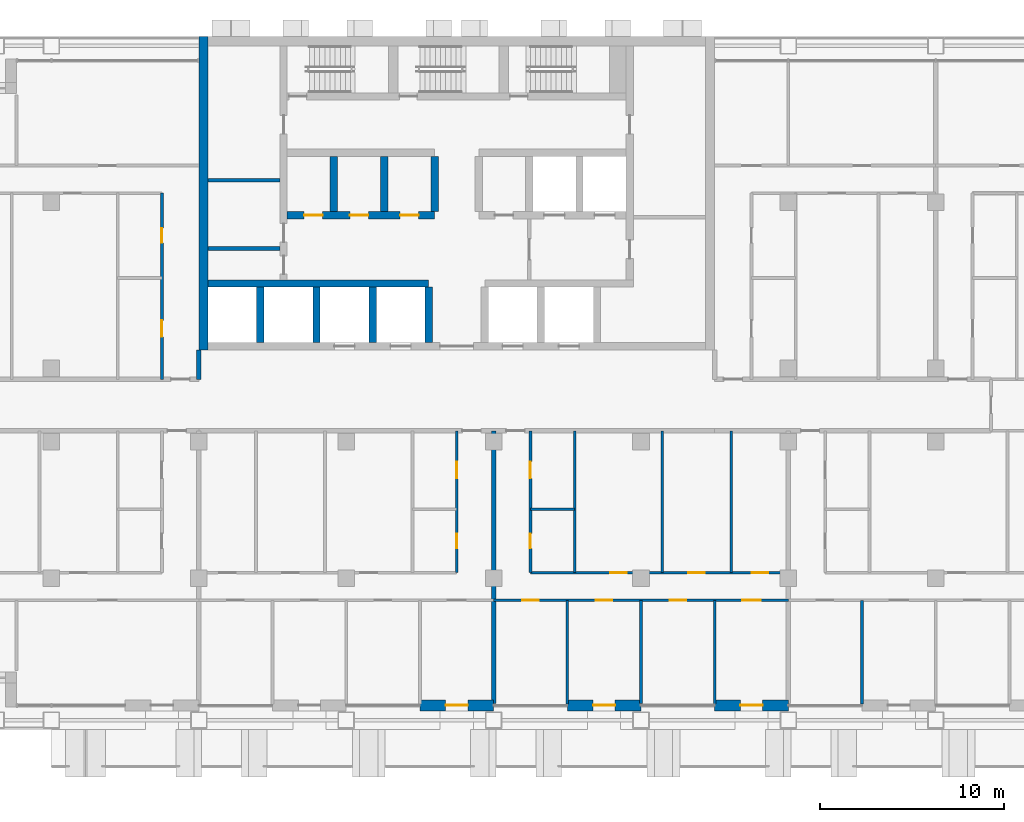
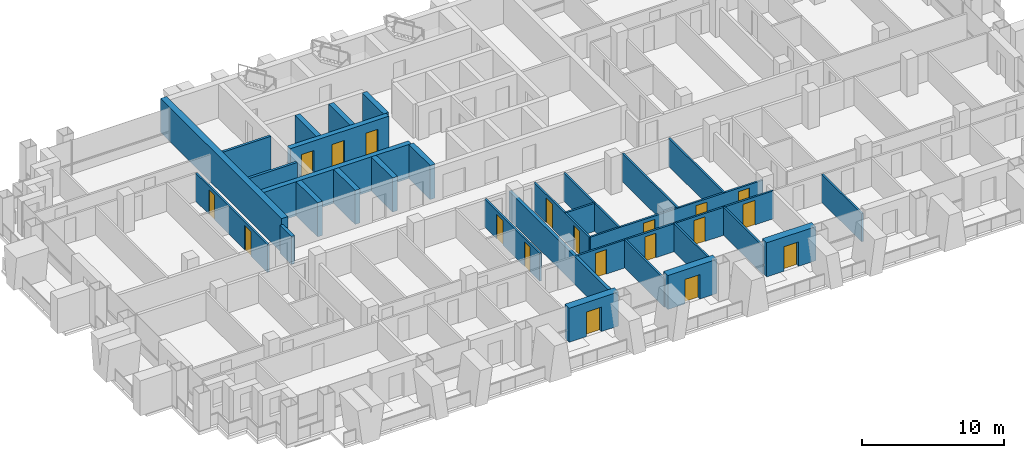
# One storey, part 10 of 18: 30 walls, 19 doors, 19 openings.
"""IFC4 building model written with IfcOpenShell, lengths in metres."""

from ifc_helpers import new_model, si_unit, direction, frame, frame_2d, origin, place, context, subcontext, project, spatial, rectangle, extrude, material, layer, layer_set, type_object, element, fill, save


model = new_model("IFC4")

# Units and contexts
model_context = context("Model", 3, precision=1e-05, world=origin(), true_north=direction((0.0, 1.0)))
body_context = subcontext(model_context, "Body", "Model", "MODEL_VIEW")
ifc_project = project(units=[si_unit("LENGTHUNIT", "METRE"), si_unit("AREAUNIT", "SQUARE_METRE"), si_unit("VOLUMEUNIT", "CUBIC_METRE"), si_unit("PLANEANGLEUNIT", "RADIAN"), si_unit("MASSUNIT", "GRAM", prefix="KILO")], contexts=[model_context])

# Site, building, storey
site_placement = place(None, origin())
site = spatial("IfcSite", under=ifc_project, at=site_placement, CompositionType="ELEMENT")
building_placement = place(site_placement, origin())
building = spatial("IfcBuilding", under=site, at=building_placement, Name="Vidyagriha Tower", CompositionType="ELEMENT")
storey_placement = place(building_placement, frame((0.0, 0.0, 90.300048828125)))
storey = spatial("IfcBuildingStorey", under=building, at=storey_placement, Name="L23", CompositionType="ELEMENT", Elevation=90.300048828125)

# Wall, opening, door
ifc_material_1 = material(Name="Precast concrete C40/50 with brick facing", Category="concrete")
ifc_layer_1 = layer(ifc_material_1, 0.60009765625)
ifc_layer_set_1 = layer_set([ifc_layer_1], Name="Precast concrete C40/50 with brick facing")
wall_type_1 = type_object("IfcWallType", Name="Brick-faced precast wall 600", PredefinedType="STANDARD", material=ifc_layer_set_1)
wall_1_placement = place(storey_placement, frame((-2.0, -16.300048828125, 0.0)))
wall_1 = element("IfcWall", 1, at=wall_1_placement, inside=storey, type_object=wall_type_1, Name="Brick door bay wall L23 R23.7", PredefinedType="STANDARD", context=body_context, shape_type="SweptSolid", body=[
    extrude(rectangle(XDim=4.0, YDim=0.60009765625, at=frame_2d((2.0, 0.0))), origin(), (0.0, 0.0, 1.0), 2.919921875),
])
opening_1_placement = place(wall_1_placement, frame((1.39990234375, 0.0, 0.0)))
opening_1 = element("IfcOpeningElement", 2, at=opening_1_placement, cuts=wall_1, Name="Opening D23-79", PredefinedType="OPENING", context=body_context, shape_type="SweptSolid", body=[
    extrude(rectangle(XDim=1.199951171875, YDim=2.10009765625, at=frame_2d((0.60009765625, 1.050048828125))), frame((0.0, 0.31005859375, 0.0), z_axis=(0.0, -1.0, 0.0), x_axis=(1.0, 0.0, 0.0)), (0.0, 0.0, 1.0), 0.6201171875),
])
ifc_material_2 = material(Name="Aluminium framed glazed sliding door", Category="aluminium")
door_type_1 = type_object("IfcDoorType", Name="Balcony sliding door 1200x2100", OperationType="NOTDEFINED", PredefinedType="DOOR", material=ifc_material_2)
door_1_placement = place(opening_1_placement, origin())
door_1 = element("IfcDoor", 3, at=door_1_placement, inside=storey, type_object=door_type_1, Name="Door D23-79", OperationType="SLIDING_TO_LEFT", OverallHeight=2.10009765625, OverallWidth=1.199951171875, PredefinedType="DOOR", context=body_context, shape_type="SweptSolid", body=[
    extrude(rectangle(XDim=1.199951171875, YDim=2.10009765625, at=frame_2d((0.60009765625, 1.050048828125))), frame((0.0, 0.02490234375, 0.0), z_axis=(0.0, -1.0, 0.0), x_axis=(1.0, 0.0, 0.0)), (0.0, 0.0, 1.0), 0.050048828125),
])
fill(opening_1, door_1)

wall_2_placement = place(storey_placement, frame((6.0, -16.300048828125, 0.0)))
wall_2 = element("IfcWall", 4, at=wall_2_placement, inside=storey, type_object=wall_type_1, Name="Brick door bay wall L23 R23.9", PredefinedType="STANDARD", context=body_context, shape_type="SweptSolid", body=[
    extrude(rectangle(XDim=4.0, YDim=0.60009765625, at=frame_2d((2.0, 0.0))), origin(), (0.0, 0.0, 1.0), 2.919921875),
])
opening_2_placement = place(wall_2_placement, frame((1.39990234375, 0.0, 0.0)))
opening_2 = element("IfcOpeningElement", 5, at=opening_2_placement, cuts=wall_2, Name="Opening D23-80", PredefinedType="OPENING", context=body_context, shape_type="SweptSolid", body=[
    extrude(rectangle(XDim=1.199951171875, YDim=2.10009765625, at=frame_2d((0.60009765625, 1.050048828125))), frame((0.0, 0.31005859375, 0.0), z_axis=(0.0, -1.0, 0.0), x_axis=(1.0, 0.0, 0.0)), (0.0, 0.0, 1.0), 0.6201171875),
])
door_2_placement = place(opening_2_placement, origin())
door_2 = element("IfcDoor", 6, at=door_2_placement, inside=storey, type_object=door_type_1, Name="Door D23-80", OperationType="SLIDING_TO_LEFT", OverallHeight=2.10009765625, OverallWidth=1.199951171875, PredefinedType="DOOR", context=body_context, shape_type="SweptSolid", body=[
    extrude(rectangle(XDim=1.199951171875, YDim=2.10009765625, at=frame_2d((0.60009765625, 1.050048828125))), frame((0.0, 0.02490234375, 0.0), z_axis=(0.0, -1.0, 0.0), x_axis=(1.0, 0.0, 0.0)), (0.0, 0.0, 1.0), 0.050048828125),
])
fill(opening_2, door_2)

wall_3_placement = place(storey_placement, frame((14.0, -16.300048828125, 0.0)))
wall_3 = element("IfcWall", 7, at=wall_3_placement, inside=storey, type_object=wall_type_1, Name="Brick door bay wall L23 R23.11", PredefinedType="STANDARD", context=body_context, shape_type="SweptSolid", body=[
    extrude(rectangle(XDim=4.0, YDim=0.60009765625, at=frame_2d((2.0, 0.0))), origin(), (0.0, 0.0, 1.0), 2.919921875),
])
opening_3_placement = place(wall_3_placement, frame((1.39990234375, 0.0, 0.0)))
opening_3 = element("IfcOpeningElement", 8, at=opening_3_placement, cuts=wall_3, Name="Opening D23-81", PredefinedType="OPENING", context=body_context, shape_type="SweptSolid", body=[
    extrude(rectangle(XDim=1.199951171875, YDim=2.10009765625, at=frame_2d((0.60009765625, 1.050048828125))), frame((0.0, 0.31005859375, 0.0), z_axis=(0.0, -1.0, 0.0), x_axis=(1.0, 0.0, 0.0)), (0.0, 0.0, 1.0), 0.6201171875),
])
door_3_placement = place(opening_3_placement, origin())
door_3 = element("IfcDoor", 9, at=door_3_placement, inside=storey, type_object=door_type_1, Name="Door D23-81", OperationType="SLIDING_TO_LEFT", OverallHeight=2.10009765625, OverallWidth=1.199951171875, PredefinedType="DOOR", context=body_context, shape_type="SweptSolid", body=[
    extrude(rectangle(XDim=1.199951171875, YDim=2.10009765625, at=frame_2d((0.60009765625, 1.050048828125))), frame((0.0, 0.02490234375, 0.0), z_axis=(0.0, -1.0, 0.0), x_axis=(1.0, 0.0, 0.0)), (0.0, 0.0, 1.0), 0.050048828125),
])
fill(opening_3, door_3)

# Walls
ifc_material_3 = material(Name="Concrete C60/75", Category="concrete")
ifc_layer_2 = layer(ifc_material_3, 0.39990234375)
ifc_layer_set_2 = layer_set([ifc_layer_2], Name="Concrete C60/75")
wall_type_2 = type_object("IfcWallType", Name="Core shear wall 400 mm", PredefinedType="SHEAR", material=ifc_layer_set_2)
wall_4_placement = place(storey_placement, frame((-13.5, 6.60009765625, 0.0)))
element("IfcWall", 10, at=wall_4_placement, inside=storey, type_object=wall_type_2, Name="Core lobby south wall west", PredefinedType="SHEAR", context=body_context, shape_type="SweptSolid", body=[
    extrude(rectangle(XDim=11.977783203125, YDim=0.39990234375, at=frame_2d((5.98876953125, 0.0))), origin(), (0.0, 0.0, 1.0), 2.919921875),
])
for number, where, z_axis, x_axis, name in (
    (11, (-10.655517578125, 3.39990234375, 0.0), (0.0, 0.0, 1.0), (0.0, 1.0, 0.0), "Core bay wall S1"),
    (12, (-7.611083984375, 3.39990234375, 0.0), (0.0, 0.0, 1.0), (0.0, 1.0, 0.0), "Core bay wall S2"),
    (13, (-4.566650390625, 3.39990234375, 0.0), (0.0, 0.0, 1.0), (0.0, 1.0, 0.0), "Core bay wall S3"),
    (14, (-1.522216796875, 3.39990234375, 0.0), (0.0, 0.0, 1.0), (0.0, 1.0, 0.0), "Core bay wall S4"),
):
    element("IfcWall", number, at=place(storey_placement, frame(where, z_axis=z_axis, x_axis=x_axis)), inside=storey, type_object=wall_type_2, Name=name, PredefinedType="SHEAR", context=body_context, shape_type="SweptSolid", body=[
        extrude(rectangle(XDim=3.0, YDim=0.39990234375, at=frame_2d((1.5, 0.0))), origin(), (0.0, 0.0, 1.0), 2.919921875),
    ])

# Wall, openings, doors
wall_5_placement = place(storey_placement, frame((-9.199951171875, 10.300048828125, 0.0)))
wall_5 = element("IfcWall", 15, at=wall_5_placement, inside=storey, type_object=wall_type_2, Name="Core row N front wall", PredefinedType="SHEAR", context=body_context, shape_type="SweptSolid", body=[
    extrude(rectangle(XDim=8.0, YDim=0.39990234375, at=frame_2d((4.0, 0.0))), origin(), (0.0, 0.0, 1.0), 2.919921875),
])
opening_4_placement = place(wall_5_placement, frame((0.916748046875, 0.0, 0.0)))
opening_4 = element("IfcOpeningElement", 16, at=opening_4_placement, cuts=wall_5, Name="Opening D23-02", PredefinedType="OPENING", context=body_context, shape_type="SweptSolid", body=[
    extrude(rectangle(XDim=1.0, YDim=2.10009765625, at=frame_2d((0.5, 1.050048828125))), frame((0.0, 0.2099609375, 0.0), z_axis=(0.0, -1.0, 0.0), x_axis=(1.0, 0.0, 0.0)), (0.0, 0.0, 1.0), 0.419921875),
])
opening_5_placement = place(wall_5_placement, frame((3.39990234375, 0.0, 0.0)))
opening_5 = element("IfcOpeningElement", 17, at=opening_5_placement, cuts=wall_5, Name="Opening D23-03", PredefinedType="OPENING", context=body_context, shape_type="SweptSolid", body=[
    extrude(rectangle(XDim=1.0, YDim=2.10009765625, at=frame_2d((0.5, 1.050048828125))), frame((0.0, 0.2099609375, 0.0), z_axis=(0.0, -1.0, 0.0), x_axis=(1.0, 0.0, 0.0)), (0.0, 0.0, 1.0), 0.419921875),
])
opening_6_placement = place(wall_5_placement, frame((6.13330078125, 0.0, 0.0)))
opening_6 = element("IfcOpeningElement", 18, at=opening_6_placement, cuts=wall_5, Name="Opening D23-04", PredefinedType="OPENING", context=body_context, shape_type="SweptSolid", body=[
    extrude(rectangle(XDim=1.0, YDim=2.10009765625, at=frame_2d((0.5, 1.050048828125))), frame((0.0, 0.2099609375, 0.0), z_axis=(0.0, -1.0, 0.0), x_axis=(1.0, 0.0, 0.0)), (0.0, 0.0, 1.0), 0.419921875),
])
ifc_material_4 = material(Name="Hollow metal door leaf")
door_type_2 = type_object("IfcDoorType", Name="Core room door 1000 x 2100 mm EI 60", OperationType="NOTDEFINED", PredefinedType="DOOR", material=ifc_material_4)
door_4_placement = place(opening_4_placement, frame((1.0, 0.0, 0.0), z_axis=(0.0, 0.0, 1.0), x_axis=(-1.0, 0.0, 0.0)))
door_4 = element("IfcDoor", 19, at=door_4_placement, inside=storey, type_object=door_type_2, Name="Door Pressurisation Plant Room 23.14", OperationType="SINGLE_SWING_RIGHT", OverallHeight=2.10009765625, OverallWidth=1.0, PredefinedType="DOOR", context=body_context, shape_type="SweptSolid", body=[
    extrude(rectangle(XDim=1.0, YDim=2.10009765625, at=frame_2d((0.5, 1.050048828125))), frame((0.0, 0.02490234375, 0.0), z_axis=(0.0, -1.0, 0.0), x_axis=(1.0, 0.0, 0.0)), (0.0, 0.0, 1.0), 0.050048828125),
])
fill(opening_4, door_4)
door_5_placement = place(opening_5_placement, frame((1.0, 0.0, 0.0), z_axis=(0.0, 0.0, 1.0), x_axis=(-1.0, 0.0, 0.0)))
door_5 = element("IfcDoor", 20, at=door_5_placement, inside=storey, type_object=door_type_2, Name="Door Switchgear Room 23.15", OperationType="SINGLE_SWING_RIGHT", OverallHeight=2.10009765625, OverallWidth=1.0, PredefinedType="DOOR", context=body_context, shape_type="SweptSolid", body=[
    extrude(rectangle(XDim=1.0, YDim=2.10009765625, at=frame_2d((0.5, 1.050048828125))), frame((0.0, 0.02490234375, 0.0), z_axis=(0.0, -1.0, 0.0), x_axis=(1.0, 0.0, 0.0)), (0.0, 0.0, 1.0), 0.050048828125),
])
fill(opening_5, door_5)
door_6_placement = place(opening_6_placement, frame((1.0, 0.0, 0.0), z_axis=(0.0, 0.0, 1.0), x_axis=(-1.0, 0.0, 0.0)))
door_6 = element("IfcDoor", 21, at=door_6_placement, inside=storey, type_object=door_type_2, Name="Door Storage Room 23.16", OperationType="SINGLE_SWING_LEFT", OverallHeight=2.10009765625, OverallWidth=1.0, PredefinedType="DOOR", context=body_context, shape_type="SweptSolid", body=[
    extrude(rectangle(XDim=1.0, YDim=2.10009765625, at=frame_2d((0.5, 1.050048828125))), frame((0.0, 0.02490234375, 0.0), z_axis=(0.0, -1.0, 0.0), x_axis=(1.0, 0.0, 0.0)), (0.0, 0.0, 1.0), 0.050048828125),
])
fill(opening_6, door_6)

# Walls
for number, where, z_axis, x_axis, name in (
    (22, (-6.666748046875, 10.5, 0.0), (0.0, 0.0, 1.0), (0.0, 1.0, 0.0), "Core bay wall N1"),
    (23, (-3.933349609375, 10.5, 0.0), (0.0, 0.0, 1.0), (0.0, 1.0, 0.0), "Core bay wall N2"),
    (24, (-1.199951171875, 10.5, 0.0), (0.0, 0.0, 1.0), (0.0, 1.0, 0.0), "Core bay wall N3"),
):
    element("IfcWall", number, at=place(storey_placement, frame(where, z_axis=z_axis, x_axis=x_axis)), inside=storey, type_object=wall_type_2, Name=name, PredefinedType="SHEAR", context=body_context, shape_type="SweptSolid", body=[
        extrude(rectangle(XDim=3.0, YDim=0.39990234375, at=frame_2d((1.5, 0.0))), origin(), (0.0, 0.0, 1.0), 2.919921875),
    ])
ifc_material_5 = material(Name="Concrete C60/75", Category="concrete")
ifc_layer_3 = layer(ifc_material_5, 0.5)
ifc_layer_set_3 = layer_set([ifc_layer_3], Name="Concrete C60/75")
wall_type_3 = type_object("IfcWallType", Name="Core shear wall 500 mm", PredefinedType="SHEAR", material=ifc_layer_set_3)
wall_6_placement = place(storey_placement, frame((-13.75, 3.0, 0.0), z_axis=(0.0, 0.0, 1.0), x_axis=(0.0, 1.0, 0.0)))
element("IfcWall", 25, at=wall_6_placement, inside=storey, type_object=wall_type_3, Name="Core west wall", PredefinedType="SHEAR", context=body_context, shape_type="SweptSolid", body=[
    extrude(rectangle(XDim=17.0, YDim=0.5, at=frame_2d((8.5, 0.0))), origin(), (0.0, 0.0, 1.0), 2.919921875),
])
ifc_material_6 = material(Name="Fired clay brick masonry", Category="masonry")
ifc_layer_4 = layer(ifc_material_6, 0.25)
ifc_layer_set_4 = layer_set([ifc_layer_4], Name="Fired clay brick masonry")
wall_type_4 = type_object("IfcWallType", Name="Fired clay brick corridor wall 250", PredefinedType="PARTITIONING", material=ifc_layer_set_4)
wall_7_placement = place(storey_placement, frame((-14.0, 3.0, 0.0), z_axis=(0.0, 0.0, 1.0), x_axis=(0.0, -1.0, 0.0)))
element("IfcWall", 26, at=wall_7_placement, inside=storey, type_object=wall_type_4, Name="Wall all-L23-w132", PredefinedType="PARTITIONING", context=body_context, shape_type="SweptSolid", body=[
    extrude(rectangle(XDim=1.60009765625, YDim=0.25, at=frame_2d((0.800048828125, 0.0))), origin(), (0.0, 0.0, 1.0), 2.39990234375),
])
ifc_material_7 = material(Name="Fired clay brick masonry", Category="masonry")
ifc_layer_5 = layer(ifc_material_7, 0.25)
ifc_layer_set_5 = layer_set([ifc_layer_5], Name="Fired clay brick masonry")
wall_type_5 = type_object("IfcWallType", Name="Fired clay brick demising wall 250", PredefinedType="PARTITIONING", material=ifc_layer_set_5)
wall_8_placement = place(storey_placement, frame((2.0, -1.39990234375, 0.0), z_axis=(0.0, 0.0, 1.0), x_axis=(0.0, -1.0, 0.0)))
element("IfcWall", 27, at=wall_8_placement, inside=storey, type_object=wall_type_5, Name="Wall all-L23-w056", PredefinedType="PARTITIONING", context=body_context, shape_type="SweptSolid", body=[
    extrude(rectangle(XDim=14.81005859375, YDim=0.25, at=frame_2d((7.405029296875, 0.0))), origin(), (0.0, 0.0, 1.0), 2.39990234375),
])
ifc_material_8 = material(Name="Gypsum board partition")
ifc_layer_6 = layer(ifc_material_8, 0.14990234375)
ifc_layer_set_6 = layer_set([ifc_layer_6], Name="Gypsum board partition")
wall_type_6 = type_object("IfcWallType", Name="Gypsum board partition 150", PredefinedType="PARTITIONING", material=ifc_layer_set_6)
wall_9_placement = place(storey_placement, frame((6.39990234375, -5.64990234375, 0.0), z_axis=(0.0, 0.0, 1.0), x_axis=(-1.0, 0.0, 0.0)))
element("IfcWall", 28, at=wall_9_placement, inside=storey, type_object=wall_type_6, Name="Wall all-L23-w039", PredefinedType="PARTITIONING", context=body_context, shape_type="SweptSolid", body=[
    extrude(rectangle(XDim=2.39990234375, YDim=0.14990234375, at=frame_2d((1.199951171875, 0.0))), origin(), (0.0, 0.0, 1.0), 2.39990234375),
])
for number, where, z_axis, x_axis, name in (
    (29, (6.39990234375, -1.39990234375, 0.0), (0.0, 0.0, 1.0), (0.0, -1.0, 0.0), "Wall all-L23-w040"),
    (30, (11.14990234375, -1.39990234375, 0.0), (0.0, 0.0, 1.0), (0.0, -1.0, 0.0), "Wall all-L23-w041"),
    (31, (14.89990234375, -1.39990234375, 0.0), (0.0, 0.0, 1.0), (0.0, -1.0, 0.0), "Wall all-L23-w042"),
):
    element("IfcWall", number, at=place(storey_placement, frame(where, z_axis=z_axis, x_axis=x_axis)), inside=storey, type_object=wall_type_6, Name=name, PredefinedType="PARTITIONING", context=body_context, shape_type="SweptSolid", body=[
        extrude(rectangle(XDim=7.7001953125, YDim=0.14990234375, at=frame_2d((3.85009765625, 0.0))), origin(), (0.0, 0.0, 1.0), 2.39990234375),
    ])

# Wall, openings, doors
wall_10_placement = place(storey_placement, frame((4.0, -9.10009765625, 0.0)))
wall_10 = element("IfcWall", 32, at=wall_10_placement, inside=storey, type_object=wall_type_6, Name="Wall all-L23-w043", PredefinedType="PARTITIONING", context=body_context, shape_type="SweptSolid", body=[
    extrude(rectangle(XDim=14.0, YDim=0.14990234375, at=frame_2d((7.0, 0.0))), origin(), (0.0, 0.0, 1.0), 2.39990234375),
])
opening_7_placement = place(wall_10_placement, frame((4.324951171875, 0.0, 0.0)))
opening_7 = element("IfcOpeningElement", 33, at=opening_7_placement, cuts=wall_10, Name="Opening D23-34", PredefinedType="OPENING", context=body_context, shape_type="SweptSolid", body=[
    extrude(rectangle(XDim=0.89990234375, YDim=2.10009765625, at=frame_2d((0.449951171875, 1.050048828125))), frame((0.0, 0.0849609375, 0.0), z_axis=(0.0, -1.0, 0.0), x_axis=(1.0, 0.0, 0.0)), (0.0, 0.0, 1.0), 0.169921875),
])
opening_8_placement = place(wall_10_placement, frame((8.574951171875, 0.0, 0.0)))
opening_8 = element("IfcOpeningElement", 34, at=opening_8_placement, cuts=wall_10, Name="Opening D23-35", PredefinedType="OPENING", context=body_context, shape_type="SweptSolid", body=[
    extrude(rectangle(XDim=0.89990234375, YDim=2.10009765625, at=frame_2d((0.449951171875, 1.050048828125))), frame((0.0, 0.0849609375, 0.0), z_axis=(0.0, -1.0, 0.0), x_axis=(1.0, 0.0, 0.0)), (0.0, 0.0, 1.0), 0.169921875),
])
opening_9_placement = place(wall_10_placement, frame((12.0, 0.0, 0.0)))
opening_9 = element("IfcOpeningElement", 35, at=opening_9_placement, cuts=wall_10, Name="Opening D23-36", PredefinedType="OPENING", context=body_context, shape_type="SweptSolid", body=[
    extrude(rectangle(XDim=0.89990234375, YDim=2.10009765625, at=frame_2d((0.449951171875, 1.050048828125))), frame((0.0, 0.0849609375, 0.0), z_axis=(0.0, -1.0, 0.0), x_axis=(1.0, 0.0, 0.0)), (0.0, 0.0, 1.0), 0.169921875),
])
ifc_material_9 = material(Name="Timber door leaf", Category="wood")
door_type_3 = type_object("IfcDoorType", Name="Room door 900x2100", OperationType="NOTDEFINED", PredefinedType="DOOR", material=ifc_material_9)
door_7_placement = place(opening_7_placement, origin())
door_7 = element("IfcDoor", 36, at=door_7_placement, inside=storey, type_object=door_type_3, Name="Door D23-34", OperationType="SINGLE_SWING_RIGHT", OverallHeight=2.10009765625, OverallWidth=0.89990234375, PredefinedType="DOOR", context=body_context, shape_type="SweptSolid", body=[
    extrude(rectangle(XDim=0.89990234375, YDim=2.10009765625, at=frame_2d((0.449951171875, 1.050048828125))), frame((0.0, 0.02490234375, 0.0), z_axis=(0.0, -1.0, 0.0), x_axis=(1.0, 0.0, 0.0)), (0.0, 0.0, 1.0), 0.050048828125),
])
fill(opening_7, door_7)
door_8_placement = place(opening_8_placement, origin())
door_8 = element("IfcDoor", 37, at=door_8_placement, inside=storey, type_object=door_type_3, Name="Door D23-35", OperationType="SINGLE_SWING_RIGHT", OverallHeight=2.10009765625, OverallWidth=0.89990234375, PredefinedType="DOOR", context=body_context, shape_type="SweptSolid", body=[
    extrude(rectangle(XDim=0.89990234375, YDim=2.10009765625, at=frame_2d((0.449951171875, 1.050048828125))), frame((0.0, 0.02490234375, 0.0), z_axis=(0.0, -1.0, 0.0), x_axis=(1.0, 0.0, 0.0)), (0.0, 0.0, 1.0), 0.050048828125),
])
fill(opening_8, door_8)
door_9_placement = place(opening_9_placement, origin())
door_9 = element("IfcDoor", 38, at=door_9_placement, inside=storey, type_object=door_type_3, Name="Door D23-36", OperationType="SINGLE_SWING_LEFT", OverallHeight=2.10009765625, OverallWidth=0.89990234375, PredefinedType="DOOR", context=body_context, shape_type="SweptSolid", body=[
    extrude(rectangle(XDim=0.89990234375, YDim=2.10009765625, at=frame_2d((0.449951171875, 1.050048828125))), frame((0.0, 0.02490234375, 0.0), z_axis=(0.0, -1.0, 0.0), x_axis=(1.0, 0.0, 0.0)), (0.0, 0.0, 1.0), 0.050048828125),
])
fill(opening_9, door_9)

wall_11_placement = place(storey_placement, frame((18.0, -10.60009765625, 0.0), z_axis=(0.0, 0.0, 1.0), x_axis=(-1.0, 0.0, 0.0)))
wall_11 = element("IfcWall", 39, at=wall_11_placement, inside=storey, type_object=wall_type_6, Name="Wall all-L23-w047", PredefinedType="PARTITIONING", context=body_context, shape_type="SweptSolid", body=[
    extrude(rectangle(XDim=16.0, YDim=0.14990234375, at=frame_2d((8.0, 0.0))), origin(), (0.0, 0.0, 1.0), 2.39990234375),
])
opening_10_placement = place(wall_11_placement, frame((13.550048828125, 0.0, 0.0)))
opening_10 = element("IfcOpeningElement", 40, at=opening_10_placement, cuts=wall_11, Name="Opening D23-37", PredefinedType="OPENING", context=body_context, shape_type="SweptSolid", body=[
    extrude(rectangle(XDim=0.89990234375, YDim=2.10009765625, at=frame_2d((0.449951171875, 1.050048828125))), frame((0.0, 0.0849609375, 0.0), z_axis=(0.0, -1.0, 0.0), x_axis=(1.0, 0.0, 0.0)), (0.0, 0.0, 1.0), 0.169921875),
])
opening_11_placement = place(wall_11_placement, frame((9.550048828125, 0.0, 0.0)))
opening_11 = element("IfcOpeningElement", 41, at=opening_11_placement, cuts=wall_11, Name="Opening D23-38", PredefinedType="OPENING", context=body_context, shape_type="SweptSolid", body=[
    extrude(rectangle(XDim=0.89990234375, YDim=2.10009765625, at=frame_2d((0.449951171875, 1.050048828125))), frame((0.0, 0.0849609375, 0.0), z_axis=(0.0, -1.0, 0.0), x_axis=(1.0, 0.0, 0.0)), (0.0, 0.0, 1.0), 0.169921875),
])
opening_12_placement = place(wall_11_placement, frame((5.550048828125, 0.0, 0.0)))
opening_12 = element("IfcOpeningElement", 42, at=opening_12_placement, cuts=wall_11, Name="Opening D23-39", PredefinedType="OPENING", context=body_context, shape_type="SweptSolid", body=[
    extrude(rectangle(XDim=0.89990234375, YDim=2.10009765625, at=frame_2d((0.449951171875, 1.050048828125))), frame((0.0, 0.0849609375, 0.0), z_axis=(0.0, -1.0, 0.0), x_axis=(1.0, 0.0, 0.0)), (0.0, 0.0, 1.0), 0.169921875),
])
opening_13_placement = place(wall_11_placement, frame((1.5, 0.0, 0.0)))
opening_13 = element("IfcOpeningElement", 43, at=opening_13_placement, cuts=wall_11, Name="Opening D23-40", PredefinedType="OPENING", context=body_context, shape_type="SweptSolid", body=[
    extrude(rectangle(XDim=1.0, YDim=2.10009765625, at=frame_2d((0.5, 1.050048828125))), frame((0.0, 0.0849609375, 0.0), z_axis=(0.0, -1.0, 0.0), x_axis=(1.0, 0.0, 0.0)), (0.0, 0.0, 1.0), 0.169921875),
])
ifc_material_10 = material(Name="Timber door leaf", Category="wood")
door_type_4 = type_object("IfcDoorType", Name="Room door 1000x2100", OperationType="NOTDEFINED", PredefinedType="DOOR", material=ifc_material_10)
door_10_placement = place(opening_13_placement, origin())
door_10 = element("IfcDoor", 44, at=door_10_placement, inside=storey, type_object=door_type_4, Name="Door D23-40", OperationType="SINGLE_SWING_RIGHT", OverallHeight=2.10009765625, OverallWidth=1.0, PredefinedType="DOOR", context=body_context, shape_type="SweptSolid", body=[
    extrude(rectangle(XDim=1.0, YDim=2.10009765625, at=frame_2d((0.5, 1.050048828125))), frame((0.0, 0.02490234375, 0.0), z_axis=(0.0, -1.0, 0.0), x_axis=(1.0, 0.0, 0.0)), (0.0, 0.0, 1.0), 0.050048828125),
])
fill(opening_13, door_10)
door_11_placement = place(opening_10_placement, origin())
door_11 = element("IfcDoor", 45, at=door_11_placement, inside=storey, type_object=door_type_3, Name="Door D23-37", OperationType="SINGLE_SWING_RIGHT", OverallHeight=2.10009765625, OverallWidth=0.89990234375, PredefinedType="DOOR", context=body_context, shape_type="SweptSolid", body=[
    extrude(rectangle(XDim=0.89990234375, YDim=2.10009765625, at=frame_2d((0.449951171875, 1.050048828125))), frame((0.0, 0.02490234375, 0.0), z_axis=(0.0, -1.0, 0.0), x_axis=(1.0, 0.0, 0.0)), (0.0, 0.0, 1.0), 0.050048828125),
])
fill(opening_10, door_11)
door_12_placement = place(opening_11_placement, origin())
door_12 = element("IfcDoor", 46, at=door_12_placement, inside=storey, type_object=door_type_3, Name="Door D23-38", OperationType="SINGLE_SWING_RIGHT", OverallHeight=2.10009765625, OverallWidth=0.89990234375, PredefinedType="DOOR", context=body_context, shape_type="SweptSolid", body=[
    extrude(rectangle(XDim=0.89990234375, YDim=2.10009765625, at=frame_2d((0.449951171875, 1.050048828125))), frame((0.0, 0.02490234375, 0.0), z_axis=(0.0, -1.0, 0.0), x_axis=(1.0, 0.0, 0.0)), (0.0, 0.0, 1.0), 0.050048828125),
])
fill(opening_11, door_12)
door_13_placement = place(opening_12_placement, origin())
door_13 = element("IfcDoor", 47, at=door_13_placement, inside=storey, type_object=door_type_3, Name="Door D23-39", OperationType="SINGLE_SWING_RIGHT", OverallHeight=2.10009765625, OverallWidth=0.89990234375, PredefinedType="DOOR", context=body_context, shape_type="SweptSolid", body=[
    extrude(rectangle(XDim=0.89990234375, YDim=2.10009765625, at=frame_2d((0.449951171875, 1.050048828125))), frame((0.0, 0.02490234375, 0.0), z_axis=(0.0, -1.0, 0.0), x_axis=(1.0, 0.0, 0.0)), (0.0, 0.0, 1.0), 0.050048828125),
])
fill(opening_12, door_13)

# Walls
wall_12_placement = place(storey_placement, frame((6.0, -10.60009765625, 0.0), z_axis=(0.0, 0.0, 1.0), x_axis=(0.0, -1.0, 0.0)))
element("IfcWall", 48, at=wall_12_placement, inside=storey, type_object=wall_type_6, Name="Wall all-L23-w052", PredefinedType="PARTITIONING", context=body_context, shape_type="SweptSolid", body=[
    extrude(rectangle(XDim=5.620849609375, YDim=0.14990234375, at=frame_2d((2.810546875, 0.0))), origin(), (0.0, 0.0, 1.0), 2.39990234375),
])
wall_13_placement = place(storey_placement, frame((10.0, -10.60009765625, 0.0), z_axis=(0.0, 0.0, 1.0), x_axis=(0.0, -1.0, 0.0)))
element("IfcWall", 49, at=wall_13_placement, inside=storey, type_object=wall_type_6, Name="Wall all-L23-w053", PredefinedType="PARTITIONING", context=body_context, shape_type="SweptSolid", body=[
    extrude(rectangle(XDim=5.60986328125, YDim=0.14990234375, at=frame_2d((2.804931640625, 0.0))), origin(), (0.0, 0.0, 1.0), 2.39990234375),
])
for number, where, z_axis, x_axis, name in (
    (50, (14.0, -10.60009765625, 0.0), (0.0, 0.0, 1.0), (0.0, -1.0, 0.0), "Wall all-L23-w054"),
    (51, (22.0, -10.60009765625, 0.0), (0.0, 0.0, 1.0), (0.0, -1.0, 0.0), "Wall all-L23-w074"),
):
    element("IfcWall", number, at=place(storey_placement, frame(where, z_axis=z_axis, x_axis=x_axis)), inside=storey, type_object=wall_type_6, Name=name, PredefinedType="PARTITIONING", context=body_context, shape_type="SweptSolid", body=[
        extrude(rectangle(XDim=5.620849609375, YDim=0.14990234375, at=frame_2d((2.810546875, 0.0))), origin(), (0.0, 0.0, 1.0), 2.39990234375),
    ])

# Wall, openings, doors
ifc_material_11 = material(Name="Moisture resistant gypsum board partition")
ifc_layer_7 = layer(ifc_material_11, 0.14990234375)
ifc_layer_set_7 = layer_set([ifc_layer_7], Name="Moisture resistant gypsum board partition")
wall_type_7 = type_object("IfcWallType", Name="Gypsum board wet-area partition 150", PredefinedType="PARTITIONING", material=ifc_layer_set_7)
wall_14_placement = place(storey_placement, frame((0.0, -9.10009765625, 0.0), z_axis=(0.0, 0.0, 1.0), x_axis=(0.0, 1.0, 0.0)))
wall_14 = element("IfcWall", 52, at=wall_14_placement, inside=storey, type_object=wall_type_7, Name="Wall all-L23-w015", PredefinedType="PARTITIONING", context=body_context, shape_type="SweptSolid", body=[
    extrude(rectangle(XDim=7.7001953125, YDim=0.14990234375, at=frame_2d((3.85009765625, 0.0))), origin(), (0.0, 0.0, 1.0), 2.39990234375),
])
opening_14_placement = place(wall_14_placement, frame((5.125, 0.0, 0.0)))
opening_14 = element("IfcOpeningElement", 53, at=opening_14_placement, cuts=wall_14, Name="Opening D23-22", PredefinedType="OPENING", context=body_context, shape_type="SweptSolid", body=[
    extrude(rectangle(XDim=0.89990234375, YDim=2.10009765625, at=frame_2d((0.449951171875, 1.050048828125))), frame((0.0, 0.0849609375, 0.0), z_axis=(0.0, -1.0, 0.0), x_axis=(1.0, 0.0, 0.0)), (0.0, 0.0, 1.0), 0.169921875),
])
opening_15_placement = place(wall_14_placement, frame((1.324951171875, 0.0, 0.0)))
opening_15 = element("IfcOpeningElement", 54, at=opening_15_placement, cuts=wall_14, Name="Opening D23-23", PredefinedType="OPENING", context=body_context, shape_type="SweptSolid", body=[
    extrude(rectangle(XDim=0.800048828125, YDim=2.10009765625, at=frame_2d((0.39990234375, 1.050048828125))), frame((0.0, 0.0849609375, 0.0), z_axis=(0.0, -1.0, 0.0), x_axis=(1.0, 0.0, 0.0)), (0.0, 0.0, 1.0), 0.169921875),
])
ifc_material_12 = material(Name="Timber door leaf", Category="wood")
door_type_5 = type_object("IfcDoorType", Name="Bathroom door 800x2100", OperationType="NOTDEFINED", PredefinedType="DOOR", material=ifc_material_12)
door_14_placement = place(opening_15_placement, origin())
door_14 = element("IfcDoor", 55, at=door_14_placement, inside=storey, type_object=door_type_5, Name="Door D23-23", OperationType="SINGLE_SWING_RIGHT", OverallHeight=2.10009765625, OverallWidth=0.800048828125, PredefinedType="DOOR", context=body_context, shape_type="SweptSolid", body=[
    extrude(rectangle(XDim=0.800048828125, YDim=2.10009765625, at=frame_2d((0.39990234375, 1.050048828125))), frame((0.0, 0.02490234375, 0.0), z_axis=(0.0, -1.0, 0.0), x_axis=(1.0, 0.0, 0.0)), (0.0, 0.0, 1.0), 0.050048828125),
])
fill(opening_15, door_14)
ifc_material_13 = material(Name="Timber door leaf", Category="wood")
door_type_6 = type_object("IfcDoorType", Name="Kitchen door 900x2100", OperationType="NOTDEFINED", PredefinedType="DOOR", material=ifc_material_13)
door_15_placement = place(opening_14_placement, origin())
door_15 = element("IfcDoor", 56, at=door_15_placement, inside=storey, type_object=door_type_6, Name="Door D23-22", OperationType="SINGLE_SWING_LEFT", OverallHeight=2.10009765625, OverallWidth=0.89990234375, PredefinedType="DOOR", context=body_context, shape_type="SweptSolid", body=[
    extrude(rectangle(XDim=0.89990234375, YDim=2.10009765625, at=frame_2d((0.449951171875, 1.050048828125))), frame((0.0, 0.02490234375, 0.0), z_axis=(0.0, -1.0, 0.0), x_axis=(1.0, 0.0, 0.0)), (0.0, 0.0, 1.0), 0.050048828125),
])
fill(opening_14, door_15)

wall_15_placement = place(storey_placement, frame((4.0, -1.39990234375, 0.0), z_axis=(0.0, 0.0, 1.0), x_axis=(0.0, -1.0, 0.0)))
wall_15 = element("IfcWall", 57, at=wall_15_placement, inside=storey, type_object=wall_type_7, Name="Wall all-L23-w036", PredefinedType="PARTITIONING", context=body_context, shape_type="SweptSolid", body=[
    extrude(rectangle(XDim=7.7001953125, YDim=0.14990234375, at=frame_2d((3.85009765625, 0.0))), origin(), (0.0, 0.0, 1.0), 2.39990234375),
])
opening_16_placement = place(wall_15_placement, frame((1.675048828125, 0.0, 0.0)))
opening_16 = element("IfcOpeningElement", 58, at=opening_16_placement, cuts=wall_15, Name="Opening D23-32", PredefinedType="OPENING", context=body_context, shape_type="SweptSolid", body=[
    extrude(rectangle(XDim=0.89990234375, YDim=2.10009765625, at=frame_2d((0.449951171875, 1.050048828125))), frame((0.0, 0.0849609375, 0.0), z_axis=(0.0, -1.0, 0.0), x_axis=(1.0, 0.0, 0.0)), (0.0, 0.0, 1.0), 0.169921875),
])
opening_17_placement = place(wall_15_placement, frame((5.574951171875, 0.0, 0.0)))
opening_17 = element("IfcOpeningElement", 59, at=opening_17_placement, cuts=wall_15, Name="Opening D23-33", PredefinedType="OPENING", context=body_context, shape_type="SweptSolid", body=[
    extrude(rectangle(XDim=0.800048828125, YDim=2.10009765625, at=frame_2d((0.39990234375, 1.050048828125))), frame((0.0, 0.0849609375, 0.0), z_axis=(0.0, -1.0, 0.0), x_axis=(1.0, 0.0, 0.0)), (0.0, 0.0, 1.0), 0.169921875),
])
door_16_placement = place(opening_17_placement, origin())
door_16 = element("IfcDoor", 60, at=door_16_placement, inside=storey, type_object=door_type_5, Name="Door D23-33", OperationType="SINGLE_SWING_RIGHT", OverallHeight=2.10009765625, OverallWidth=0.800048828125, PredefinedType="DOOR", context=body_context, shape_type="SweptSolid", body=[
    extrude(rectangle(XDim=0.800048828125, YDim=2.10009765625, at=frame_2d((0.39990234375, 1.050048828125))), frame((0.0, 0.02490234375, 0.0), z_axis=(0.0, -1.0, 0.0), x_axis=(1.0, 0.0, 0.0)), (0.0, 0.0, 1.0), 0.050048828125),
])
fill(opening_17, door_16)
door_17_placement = place(opening_16_placement, origin())
door_17 = element("IfcDoor", 61, at=door_17_placement, inside=storey, type_object=door_type_6, Name="Door D23-32", OperationType="SINGLE_SWING_LEFT", OverallHeight=2.10009765625, OverallWidth=0.89990234375, PredefinedType="DOOR", context=body_context, shape_type="SweptSolid", body=[
    extrude(rectangle(XDim=0.89990234375, YDim=2.10009765625, at=frame_2d((0.449951171875, 1.050048828125))), frame((0.0, 0.02490234375, 0.0), z_axis=(0.0, -1.0, 0.0), x_axis=(1.0, 0.0, 0.0)), (0.0, 0.0, 1.0), 0.050048828125),
])
fill(opening_16, door_17)

wall_16_placement = place(storey_placement, frame((-16.0, 1.39990234375, 0.0), z_axis=(0.0, 0.0, 1.0), x_axis=(0.0, 1.0, 0.0)))
wall_16 = element("IfcWall", 62, at=wall_16_placement, inside=storey, type_object=wall_type_7, Name="Wall all-L23-w083", PredefinedType="PARTITIONING", context=body_context, shape_type="SweptSolid", body=[
    extrude(rectangle(XDim=10.10009765625, YDim=0.14990234375, at=frame_2d((5.050048828125, 0.0))), origin(), (0.0, 0.0, 1.0), 2.39990234375),
])
opening_18_placement = place(wall_16_placement, frame((2.300048828125, 0.0, 0.0)))
opening_18 = element("IfcOpeningElement", 63, at=opening_18_placement, cuts=wall_16, Name="Opening D23-53", PredefinedType="OPENING", context=body_context, shape_type="SweptSolid", body=[
    extrude(rectangle(XDim=0.89990234375, YDim=2.10009765625, at=frame_2d((0.449951171875, 1.050048828125))), frame((0.0, 0.0849609375, 0.0), z_axis=(0.0, -1.0, 0.0), x_axis=(1.0, 0.0, 0.0)), (0.0, 0.0, 1.0), 0.169921875),
])
opening_19_placement = place(wall_16_placement, frame((7.39990234375, 0.0, 0.0)))
opening_19 = element("IfcOpeningElement", 64, at=opening_19_placement, cuts=wall_16, Name="Opening D23-54", PredefinedType="OPENING", context=body_context, shape_type="SweptSolid", body=[
    extrude(rectangle(XDim=0.800048828125, YDim=2.10009765625, at=frame_2d((0.39990234375, 1.050048828125))), frame((0.0, 0.0849609375, 0.0), z_axis=(0.0, -1.0, 0.0), x_axis=(1.0, 0.0, 0.0)), (0.0, 0.0, 1.0), 0.169921875),
])
door_18_placement = place(opening_19_placement, origin())
door_18 = element("IfcDoor", 65, at=door_18_placement, inside=storey, type_object=door_type_5, Name="Door D23-54", OperationType="SINGLE_SWING_LEFT", OverallHeight=2.10009765625, OverallWidth=0.800048828125, PredefinedType="DOOR", context=body_context, shape_type="SweptSolid", body=[
    extrude(rectangle(XDim=0.800048828125, YDim=2.10009765625, at=frame_2d((0.39990234375, 1.050048828125))), frame((0.0, 0.02490234375, 0.0), z_axis=(0.0, -1.0, 0.0), x_axis=(1.0, 0.0, 0.0)), (0.0, 0.0, 1.0), 0.050048828125),
])
fill(opening_19, door_18)
door_19_placement = place(opening_18_placement, origin())
door_19 = element("IfcDoor", 66, at=door_19_placement, inside=storey, type_object=door_type_6, Name="Door D23-53", OperationType="SINGLE_SWING_RIGHT", OverallHeight=2.10009765625, OverallWidth=0.89990234375, PredefinedType="DOOR", context=body_context, shape_type="SweptSolid", body=[
    extrude(rectangle(XDim=0.89990234375, YDim=2.10009765625, at=frame_2d((0.449951171875, 1.050048828125))), frame((0.0, 0.02490234375, 0.0), z_axis=(0.0, -1.0, 0.0), x_axis=(1.0, 0.0, 0.0)), (0.0, 0.0, 1.0), 0.050048828125),
])
fill(opening_18, door_19)

# Walls
ifc_material_14 = material(Name="Blockwork 15 MPa", Category="masonry")
ifc_layer_8 = layer(ifc_material_14, 0.199951171875)
ifc_layer_set_8 = layer_set([ifc_layer_8], Name="Blockwork 15 MPa")
wall_type_8 = type_object("IfcWallType", Name="Service room partition 200 mm", PredefinedType="PARTITIONING", material=ifc_layer_set_8)
for number, where, name in (
    (67, (-13.5, 8.5, 0.0), "Core room partition W1"),
    (68, (-13.5, 12.199951171875, 0.0), "Core room partition W2"),
):
    element("IfcWall", number, at=place(storey_placement, frame(where)), inside=storey, type_object=wall_type_8, Name=name, PredefinedType="PARTITIONING", context=body_context, shape_type="SweptSolid", body=[
        extrude(rectangle(XDim=3.89990234375, YDim=0.199951171875, at=frame_2d((1.949951171875, 0.0))), origin(), (0.0, 0.0, 1.0), 2.919921875),
    ])

save(model, "model.ifc")
